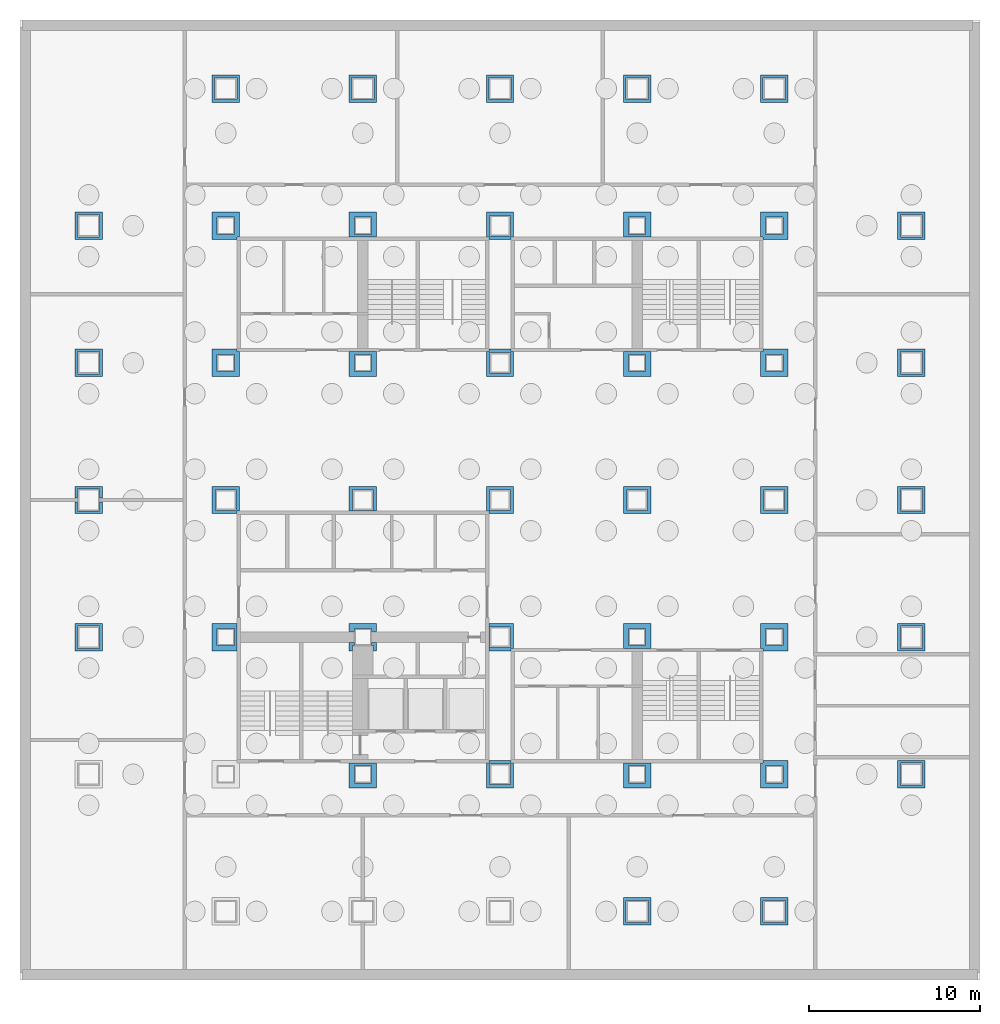
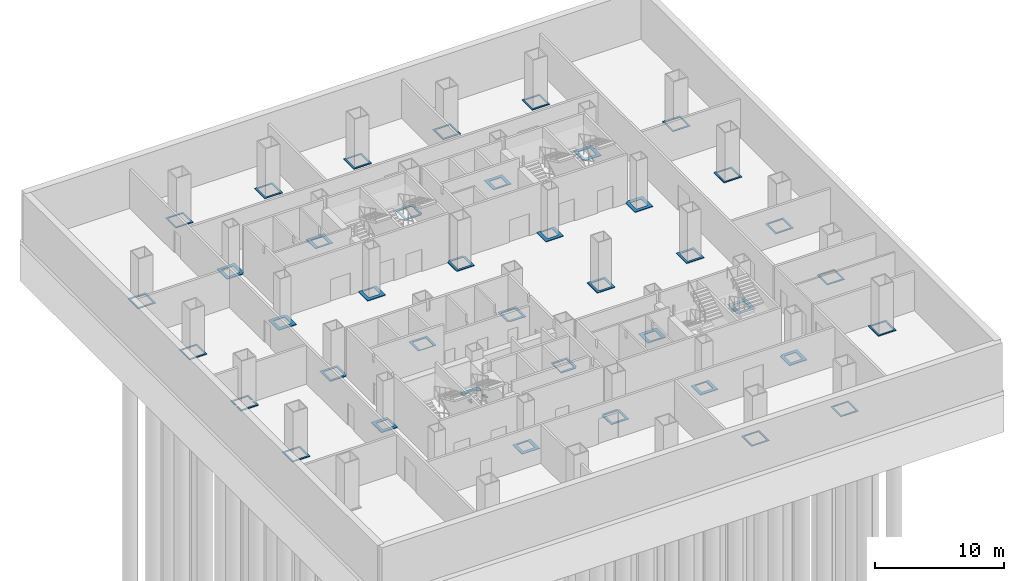
# One storey, part 7 of 9: 43 discrete accessories.
"""IFC4 building model written with IfcOpenShell, lengths in metres."""

from ifc_helpers import new_model, si_unit, direction, frame, origin, place, context, subcontext, project, spatial, polyline, outline, extrude, material, layer, layer_set, type_object, element, save


model = new_model("IFC4")

# Units and contexts
model_context = context("Model", 3, precision=1e-05, world=origin(), true_north=direction((0.0, 1.0)))
body_context = subcontext(model_context, "Body", "Model", "MODEL_VIEW")
ifc_project = project(units=[si_unit("LENGTHUNIT", "METRE"), si_unit("AREAUNIT", "SQUARE_METRE"), si_unit("VOLUMEUNIT", "CUBIC_METRE"), si_unit("PLANEANGLEUNIT", "RADIAN"), si_unit("MASSUNIT", "GRAM", prefix="KILO")], contexts=[model_context])

# Site, building, storey
site_placement = place(None, origin())
site = spatial("IfcSite", under=ifc_project, at=site_placement, CompositionType="ELEMENT")
building_placement = place(site_placement, origin())
building = spatial("IfcBuilding", under=site, at=building_placement, Name="Immortelle Media Tower", CompositionType="ELEMENT")
storey_placement = place(building_placement, frame((0.0, 0.0, -5.0)))
storey = spatial("IfcBuildingStorey", under=building, at=storey_placement, Name="B1", CompositionType="ELEMENT", Elevation=-5.0)

# Discrete accessories
ifc_material = material(Name="Steel ASTM A572 Gr 50", Category="steel")
ifc_layer = layer(ifc_material, 0.06005859375)
ifc_layer_set = layer_set([ifc_layer], Name="Steel ASTM A572 Gr 50")
discrete_accessory_type = type_object("IfcDiscreteAccessoryType", Name="Column foot plate BP6 1600 x 1600 x 60", PredefinedType="ANCHORPLATE", material=ifc_layer_set)
discrete_accessory_1_placement = place(storey_placement, frame((0.0, 16.0, 0.0400390625), z_axis=(0.0, 0.0, 1.0), x_axis=(1.0, 0.0, 0.0)))
element("IfcDiscreteAccessory", 1, at=discrete_accessory_1_placement, inside=storey, type_object=discrete_accessory_type, Name="Foot plate BP6 of Column 1/C", PredefinedType="ANCHORPLATE", context=body_context, shape_type="SweptSolid", body=[
    extrude(outline(polyline([(-0.800048828125, -0.800048828125), (0.800048828125, -0.800048828125), (0.800048828125, 0.800048828125), (-0.800048828125, 0.800048828125), (-0.800048828125, -0.800048828125)]), holes=[polyline([(0.64990234375, 0.64990234375), (0.64990234375, -0.64990234375), (-0.64990234375, -0.64990234375), (-0.64990234375, 0.64990234375), (0.64990234375, 0.64990234375)])]), origin(), (0.0, 0.0, 1.0), 0.06005859375),
])
discrete_accessory_2_placement = place(storey_placement, frame((0.0, 24.0, 0.0400390625), z_axis=(0.0, 0.0, 1.0), x_axis=(1.0, 0.0, 0.0)))
element("IfcDiscreteAccessory", 2, at=discrete_accessory_2_placement, inside=storey, type_object=discrete_accessory_type, Name="Foot plate BP6 of Column 1/D", PredefinedType="ANCHORPLATE", context=body_context, shape_type="SweptSolid", body=[
    extrude(outline(polyline([(-0.800048828125, 0.114990234375), (-0.64990234375, 0.114990234375), (-0.64990234375, 0.64990234375), (0.64990234375, 0.64990234375), (0.64990234375, 0.114990234375), (0.800048828125, 0.114990234375), (0.800048828125, 0.800048828125), (-0.800048828125, 0.800048828125), (-0.800048828125, 0.114990234375)])), origin(), (0.0, 0.0, 1.0), 0.06005859375),
])
discrete_accessory_3_placement = place(storey_placement, frame((0.0, 24.0, 0.0400390625), z_axis=(0.0, 0.0, 1.0), x_axis=(1.0, 0.0, 0.0)))
element("IfcDiscreteAccessory", 3, at=discrete_accessory_3_placement, inside=storey, type_object=discrete_accessory_type, Name="Foot plate BP6 of Column 1/D, part 2", PredefinedType="ANCHORPLATE", context=body_context, shape_type="SweptSolid", body=[
    extrude(outline(polyline([(-0.800048828125, -0.800048828125), (0.800048828125, -0.800048828125), (0.800048828125, -0.114990234375), (0.64990234375, -0.114990234375), (0.64990234375, -0.64990234375), (-0.64990234375, -0.64990234375), (-0.64990234375, -0.114990234375), (-0.800048828125, -0.114990234375), (-0.800048828125, -0.800048828125)])), origin(), (0.0, 0.0, 1.0), 0.06005859375),
])
for number, where, z_axis, x_axis, name in (
    (4, (0.0, 32.0, 0.0400390625), (0.0, 0.0, 1.0), (1.0, 0.0, 0.0), "Foot plate BP6 of Column 1/E"),
    (5, (0.0, 40.0, 0.0400390625), (0.0, 0.0, 1.0), (1.0, 0.0, 0.0), "Foot plate BP6 of Column 1/F"),
):
    element("IfcDiscreteAccessory", number, at=place(storey_placement, frame(where, z_axis=z_axis, x_axis=x_axis)), inside=storey, type_object=discrete_accessory_type, Name=name, PredefinedType="ANCHORPLATE", context=body_context, shape_type="SweptSolid", body=[
        extrude(outline(polyline([(-0.800048828125, -0.800048828125), (0.800048828125, -0.800048828125), (0.800048828125, 0.800048828125), (-0.800048828125, 0.800048828125), (-0.800048828125, -0.800048828125)]), holes=[polyline([(0.64990234375, 0.64990234375), (0.64990234375, -0.64990234375), (-0.64990234375, -0.64990234375), (-0.64990234375, 0.64990234375), (0.64990234375, 0.64990234375)])]), origin(), (0.0, 0.0, 1.0), 0.06005859375),
    ])
discrete_accessory_4_placement = place(storey_placement, frame((8.0, 16.0, 0.0400390625), z_axis=(0.0, 0.0, 1.0), x_axis=(1.0, 0.0, 0.0)))
element("IfcDiscreteAccessory", 6, at=discrete_accessory_4_placement, inside=storey, type_object=discrete_accessory_type, Name="Foot plate BP6 of Column 2/C", PredefinedType="ANCHORPLATE", context=body_context, shape_type="SweptSolid", body=[
    extrude(outline(polyline([(-0.800048828125, 0.800048828125), (-0.800048828125, -0.800048828125), (0.64990234375, -0.800048828125), (0.64990234375, 0.800048828125), (-0.800048828125, 0.800048828125)]), holes=[polyline([(0.5, 0.5), (0.5, -0.5), (-0.5, -0.5), (-0.5, 0.5), (0.5, 0.5)])]), origin(), (0.0, 0.0, 1.0), 0.06005859375),
])
discrete_accessory_5_placement = place(storey_placement, frame((8.0, 24.0, 0.0400390625), z_axis=(0.0, 0.0, 1.0), x_axis=(1.0, 0.0, 0.0)))
element("IfcDiscreteAccessory", 7, at=discrete_accessory_5_placement, inside=storey, type_object=discrete_accessory_type, Name="Foot plate BP6 of Column 2/D", PredefinedType="ANCHORPLATE", context=body_context, shape_type="SweptSolid", body=[
    extrude(outline(polyline([(-0.800048828125, 0.800048828125), (-0.800048828125, -0.800048828125), (0.64990234375, -0.800048828125), (0.64990234375, -0.64990234375), (0.800048828125, -0.64990234375), (0.800048828125, 0.800048828125), (-0.800048828125, 0.800048828125)]), holes=[polyline([(0.60009765625, 0.60009765625), (0.60009765625, -0.60009765625), (-0.60009765625, -0.60009765625), (-0.60009765625, 0.60009765625), (0.60009765625, 0.60009765625)])]), origin(), (0.0, 0.0, 1.0), 0.06005859375),
])
discrete_accessory_6_placement = place(storey_placement, frame((8.0, 32.0, 0.0400390625), z_axis=(0.0, 0.0, 1.0), x_axis=(1.0, 0.0, 0.0)))
element("IfcDiscreteAccessory", 8, at=discrete_accessory_6_placement, inside=storey, type_object=discrete_accessory_type, Name="Foot plate BP6 of Column 2/E", PredefinedType="ANCHORPLATE", context=body_context, shape_type="SweptSolid", body=[
    extrude(outline(polyline([(-0.800048828125, -0.800048828125), (0.800048828125, -0.800048828125), (0.800048828125, 0.64990234375), (0.64990234375, 0.64990234375), (0.64990234375, 0.800048828125), (-0.800048828125, 0.800048828125), (-0.800048828125, -0.800048828125)]), holes=[polyline([(0.5, 0.5), (0.5, -0.5), (-0.5, -0.5), (-0.5, 0.5), (0.5, 0.5)])]), origin(), (0.0, 0.0, 1.0), 0.06005859375),
])
discrete_accessory_7_placement = place(storey_placement, frame((8.0, 40.0, 0.0400390625), z_axis=(0.0, 0.0, 1.0), x_axis=(1.0, 0.0, 0.0)))
element("IfcDiscreteAccessory", 9, at=discrete_accessory_7_placement, inside=storey, type_object=discrete_accessory_type, Name="Foot plate BP6 of Column 2/F", PredefinedType="ANCHORPLATE", context=body_context, shape_type="SweptSolid", body=[
    extrude(outline(polyline([(-0.800048828125, 0.800048828125), (-0.800048828125, -0.800048828125), (0.64990234375, -0.800048828125), (0.64990234375, -0.64990234375), (0.800048828125, -0.64990234375), (0.800048828125, 0.800048828125), (-0.800048828125, 0.800048828125)]), holes=[polyline([(0.5, 0.5), (0.5, -0.5), (-0.5, -0.5), (-0.5, 0.5), (0.5, 0.5)])]), origin(), (0.0, 0.0, 1.0), 0.06005859375),
])
discrete_accessory_8_placement = place(storey_placement, frame((8.0, 48.0, 0.0400390625), z_axis=(0.0, 0.0, 1.0), x_axis=(1.0, 0.0, 0.0)))
element("IfcDiscreteAccessory", 10, at=discrete_accessory_8_placement, inside=storey, type_object=discrete_accessory_type, Name="Foot plate BP6 of Column 2/G", PredefinedType="ANCHORPLATE", context=body_context, shape_type="SweptSolid", body=[
    extrude(outline(polyline([(-0.800048828125, -0.800048828125), (0.800048828125, -0.800048828125), (0.800048828125, 0.800048828125), (-0.800048828125, 0.800048828125), (-0.800048828125, -0.800048828125)]), holes=[polyline([(0.64990234375, 0.64990234375), (0.64990234375, -0.64990234375), (-0.64990234375, -0.64990234375), (-0.64990234375, 0.64990234375), (0.64990234375, 0.64990234375)])]), origin(), (0.0, 0.0, 1.0), 0.06005859375),
])
discrete_accessory_9_placement = place(storey_placement, frame((16.0, 8.0, 0.0400390625), z_axis=(0.0, 0.0, 1.0), x_axis=(1.0, 0.0, 0.0)))
element("IfcDiscreteAccessory", 11, at=discrete_accessory_9_placement, inside=storey, type_object=discrete_accessory_type, Name="Foot plate BP6 of Column 3/B", PredefinedType="ANCHORPLATE", context=body_context, shape_type="SweptSolid", body=[
    extrude(outline(polyline([(-0.800048828125, -0.800048828125), (0.800048828125, -0.800048828125), (0.800048828125, 0.64990234375), (-0.800048828125, 0.64990234375), (-0.800048828125, -0.800048828125)]), holes=[polyline([(0.5, 0.5), (0.5, -0.5), (-0.5, -0.5), (-0.5, 0.5), (0.5, 0.5)])]), origin(), (0.0, 0.0, 1.0), 0.06005859375),
])
discrete_accessory_10_placement = place(storey_placement, frame((16.0, 16.0, 0.0400390625), z_axis=(0.0, 0.0, 1.0), x_axis=(1.0, 0.0, 0.0)))
element("IfcDiscreteAccessory", 12, at=discrete_accessory_10_placement, inside=storey, type_object=discrete_accessory_type, Name="Foot plate BP6 of Column 3/C", PredefinedType="ANCHORPLATE", context=body_context, shape_type="SweptSolid", body=[
    extrude(outline(polyline([(-0.800048828125, 0.31494140625), (-0.5, 0.31494140625), (-0.5, 0.5), (0.5, 0.5), (0.5, 0.31494140625), (0.800048828125, 0.31494140625), (0.800048828125, 0.800048828125), (-0.800048828125, 0.800048828125), (-0.800048828125, 0.31494140625)])), origin(), (0.0, 0.0, 1.0), 0.06005859375),
])
discrete_accessory_11_placement = place(storey_placement, frame((16.0, 16.0, 0.0400390625), z_axis=(0.0, 0.0, 1.0), x_axis=(1.0, 0.0, 0.0)))
element("IfcDiscreteAccessory", 13, at=discrete_accessory_11_placement, inside=storey, type_object=discrete_accessory_type, Name="Foot plate BP6 of Column 3/C, part 2", PredefinedType="ANCHORPLATE", context=body_context, shape_type="SweptSolid", body=[
    extrude(outline(polyline([(-0.614990234375, -0.4951171875), (-0.5, -0.4951171875), (-0.5, -0.31494140625), (-0.800048828125, -0.31494140625), (-0.800048828125, -0.800048828125), (-0.614990234375, -0.800048828125), (-0.614990234375, -0.4951171875)])), origin(), (0.0, 0.0, 1.0), 0.06005859375),
])
discrete_accessory_12_placement = place(storey_placement, frame((16.0, 16.0, 0.0400390625), z_axis=(0.0, 0.0, 1.0), x_axis=(1.0, 0.0, 0.0)))
element("IfcDiscreteAccessory", 14, at=discrete_accessory_12_placement, inside=storey, type_object=discrete_accessory_type, Name="Foot plate BP6 of Column 3/C, part 3", PredefinedType="ANCHORPLATE", context=body_context, shape_type="SweptSolid", body=[
    extrude(outline(polyline([(0.614990234375, -0.800048828125), (0.800048828125, -0.800048828125), (0.800048828125, -0.31494140625), (0.5, -0.31494140625), (0.5, -0.4951171875), (0.614990234375, -0.4951171875), (0.614990234375, -0.800048828125)])), origin(), (0.0, 0.0, 1.0), 0.06005859375),
])
discrete_accessory_13_placement = place(storey_placement, frame((16.0, 24.0, 0.0400390625), z_axis=(0.0, 0.0, 1.0), x_axis=(1.0, 0.0, 0.0)))
element("IfcDiscreteAccessory", 15, at=discrete_accessory_13_placement, inside=storey, type_object=discrete_accessory_type, Name="Foot plate BP6 of Column 3/D", PredefinedType="ANCHORPLATE", context=body_context, shape_type="SweptSolid", body=[
    extrude(outline(polyline([(0.800048828125, 0.800048828125), (-0.800048828125, 0.800048828125), (-0.800048828125, -0.64990234375), (0.800048828125, -0.64990234375), (0.800048828125, 0.800048828125)]), holes=[polyline([(0.60009765625, 0.60009765625), (0.60009765625, -0.60009765625), (-0.60009765625, -0.60009765625), (-0.60009765625, 0.60009765625), (0.60009765625, 0.60009765625)])]), origin(), (0.0, 0.0, 1.0), 0.06005859375),
])
discrete_accessory_14_placement = place(storey_placement, frame((16.0, 32.0, 0.0400390625), z_axis=(0.0, 0.0, 1.0), x_axis=(1.0, 0.0, 0.0)))
element("IfcDiscreteAccessory", 16, at=discrete_accessory_14_placement, inside=storey, type_object=discrete_accessory_type, Name="Foot plate BP6 of Column 3/E", PredefinedType="ANCHORPLATE", context=body_context, shape_type="SweptSolid", body=[
    extrude(outline(polyline([(-0.800048828125, -0.800048828125), (0.800048828125, -0.800048828125), (0.800048828125, 0.64990234375), (-0.800048828125, 0.64990234375), (-0.800048828125, -0.800048828125)]), holes=[polyline([(0.5, 0.5), (0.5, -0.5), (-0.5, -0.5), (-0.5, 0.5), (0.5, 0.5)])]), origin(), (0.0, 0.0, 1.0), 0.06005859375),
])
discrete_accessory_15_placement = place(storey_placement, frame((16.0, 40.0, 0.0400390625), z_axis=(0.0, 0.0, 1.0), x_axis=(1.0, 0.0, 0.0)))
element("IfcDiscreteAccessory", 17, at=discrete_accessory_15_placement, inside=storey, type_object=discrete_accessory_type, Name="Foot plate BP6 of Column 3/F", PredefinedType="ANCHORPLATE", context=body_context, shape_type="SweptSolid", body=[
    extrude(outline(polyline([(0.800048828125, 0.800048828125), (-0.800048828125, 0.800048828125), (-0.800048828125, -0.64990234375), (0.800048828125, -0.64990234375), (0.800048828125, 0.800048828125)]), holes=[polyline([(0.5, 0.5), (0.5, -0.5), (-0.5, -0.5), (-0.5, 0.5), (0.5, 0.5)])]), origin(), (0.0, 0.0, 1.0), 0.06005859375),
])
discrete_accessory_16_placement = place(storey_placement, frame((16.0, 48.0, 0.0400390625), z_axis=(0.0, 0.0, 1.0), x_axis=(1.0, 0.0, 0.0)))
element("IfcDiscreteAccessory", 18, at=discrete_accessory_16_placement, inside=storey, type_object=discrete_accessory_type, Name="Foot plate BP6 of Column 3/G", PredefinedType="ANCHORPLATE", context=body_context, shape_type="SweptSolid", body=[
    extrude(outline(polyline([(-0.800048828125, -0.800048828125), (0.800048828125, -0.800048828125), (0.800048828125, 0.800048828125), (-0.800048828125, 0.800048828125), (-0.800048828125, -0.800048828125)]), holes=[polyline([(0.64990234375, 0.64990234375), (0.64990234375, -0.64990234375), (-0.64990234375, -0.64990234375), (-0.64990234375, 0.64990234375), (0.64990234375, 0.64990234375)])]), origin(), (0.0, 0.0, 1.0), 0.06005859375),
])
discrete_accessory_17_placement = place(storey_placement, frame((24.0, 8.0, 0.0400390625), z_axis=(0.0, 0.0, 1.0), x_axis=(1.0, 0.0, 0.0)))
element("IfcDiscreteAccessory", 19, at=discrete_accessory_17_placement, inside=storey, type_object=discrete_accessory_type, Name="Foot plate BP6 of Column 4/B", PredefinedType="ANCHORPLATE", context=body_context, shape_type="SweptSolid", body=[
    extrude(outline(polyline([(-0.800048828125, -0.800048828125), (0.800048828125, -0.800048828125), (0.800048828125, 0.64990234375), (0.64990234375, 0.64990234375), (0.64990234375, 0.800048828125), (-0.64990234375, 0.800048828125), (-0.64990234375, 0.64990234375), (-0.800048828125, 0.64990234375), (-0.800048828125, -0.800048828125)]), holes=[polyline([(0.60009765625, 0.60009765625), (0.60009765625, -0.60009765625), (-0.60009765625, -0.60009765625), (-0.60009765625, 0.60009765625), (0.60009765625, 0.60009765625)])]), origin(), (0.0, 0.0, 1.0), 0.06005859375),
])
discrete_accessory_18_placement = place(storey_placement, frame((24.0, 16.0, 0.0400390625), z_axis=(0.0, 0.0, 1.0), x_axis=(1.0, 0.0, 0.0)))
element("IfcDiscreteAccessory", 20, at=discrete_accessory_18_placement, inside=storey, type_object=discrete_accessory_type, Name="Foot plate BP6 of Column 4/C", PredefinedType="ANCHORPLATE", context=body_context, shape_type="SweptSolid", body=[
    extrude(outline(polyline([(0.800048828125, -0.64990234375), (0.800048828125, 0.800048828125), (-0.64990234375, 0.800048828125), (-0.64990234375, -0.800048828125), (0.64990234375, -0.800048828125), (0.64990234375, -0.64990234375), (0.800048828125, -0.64990234375)]), holes=[polyline([(0.60009765625, 0.60009765625), (0.60009765625, -0.60009765625), (-0.60009765625, -0.60009765625), (-0.60009765625, 0.60009765625), (0.60009765625, 0.60009765625)])]), origin(), (0.0, 0.0, 1.0), 0.06005859375),
])
discrete_accessory_19_placement = place(storey_placement, frame((24.0, 24.0, 0.0400390625), z_axis=(0.0, 0.0, 1.0), x_axis=(1.0, 0.0, 0.0)))
element("IfcDiscreteAccessory", 21, at=discrete_accessory_19_placement, inside=storey, type_object=discrete_accessory_type, Name="Foot plate BP6 of Column 4/D", PredefinedType="ANCHORPLATE", context=body_context, shape_type="SweptSolid", body=[
    extrude(outline(polyline([(0.800048828125, 0.800048828125), (-0.800048828125, 0.800048828125), (-0.800048828125, -0.64990234375), (-0.64990234375, -0.64990234375), (-0.64990234375, -0.800048828125), (0.800048828125, -0.800048828125), (0.800048828125, 0.800048828125)]), holes=[polyline([(0.60009765625, 0.60009765625), (0.60009765625, -0.60009765625), (-0.60009765625, -0.60009765625), (-0.60009765625, 0.60009765625), (0.60009765625, 0.60009765625)])]), origin(), (0.0, 0.0, 1.0), 0.06005859375),
])
discrete_accessory_20_placement = place(storey_placement, frame((24.0, 32.0, 0.0400390625), z_axis=(0.0, 0.0, 1.0), x_axis=(1.0, 0.0, 0.0)))
element("IfcDiscreteAccessory", 22, at=discrete_accessory_20_placement, inside=storey, type_object=discrete_accessory_type, Name="Foot plate BP6 of Column 4/E", PredefinedType="ANCHORPLATE", context=body_context, shape_type="SweptSolid", body=[
    extrude(outline(polyline([(-0.800048828125, -0.800048828125), (0.800048828125, -0.800048828125), (0.800048828125, 0.64990234375), (0.64990234375, 0.64990234375), (0.64990234375, 0.800048828125), (-0.64990234375, 0.800048828125), (-0.64990234375, 0.64990234375), (-0.800048828125, 0.64990234375), (-0.800048828125, -0.800048828125)]), holes=[polyline([(0.60009765625, 0.60009765625), (0.60009765625, -0.60009765625), (-0.60009765625, -0.60009765625), (-0.60009765625, 0.60009765625), (0.60009765625, 0.60009765625)])]), origin(), (0.0, 0.0, 1.0), 0.06005859375),
])
discrete_accessory_21_placement = place(storey_placement, frame((24.0, 40.0, 0.0400390625), z_axis=(0.0, 0.0, 1.0), x_axis=(1.0, 0.0, 0.0)))
element("IfcDiscreteAccessory", 23, at=discrete_accessory_21_placement, inside=storey, type_object=discrete_accessory_type, Name="Foot plate BP6 of Column 4/F", PredefinedType="ANCHORPLATE", context=body_context, shape_type="SweptSolid", body=[
    extrude(outline(polyline([(0.800048828125, 0.800048828125), (-0.800048828125, 0.800048828125), (-0.800048828125, -0.64990234375), (-0.64990234375, -0.64990234375), (-0.64990234375, -0.800048828125), (0.64990234375, -0.800048828125), (0.64990234375, -0.64990234375), (0.800048828125, -0.64990234375), (0.800048828125, 0.800048828125)]), holes=[polyline([(0.60009765625, 0.60009765625), (0.60009765625, -0.60009765625), (-0.60009765625, -0.60009765625), (-0.60009765625, 0.60009765625), (0.60009765625, 0.60009765625)])]), origin(), (0.0, 0.0, 1.0), 0.06005859375),
])
for number, where, z_axis, x_axis, name in (
    (24, (24.0, 48.0, 0.0400390625), (0.0, 0.0, 1.0), (1.0, 0.0, 0.0), "Foot plate BP6 of Column 4/G"),
    (25, (32.0, 0.0, 0.0400390625), (0.0, 0.0, 1.0), (1.0, 0.0, 0.0), "Foot plate BP6 of Column 5/A"),
):
    element("IfcDiscreteAccessory", number, at=place(storey_placement, frame(where, z_axis=z_axis, x_axis=x_axis)), inside=storey, type_object=discrete_accessory_type, Name=name, PredefinedType="ANCHORPLATE", context=body_context, shape_type="SweptSolid", body=[
        extrude(outline(polyline([(-0.800048828125, -0.800048828125), (0.800048828125, -0.800048828125), (0.800048828125, 0.800048828125), (-0.800048828125, 0.800048828125), (-0.800048828125, -0.800048828125)]), holes=[polyline([(0.64990234375, 0.64990234375), (0.64990234375, -0.64990234375), (-0.64990234375, -0.64990234375), (-0.64990234375, 0.64990234375), (0.64990234375, 0.64990234375)])]), origin(), (0.0, 0.0, 1.0), 0.06005859375),
    ])
discrete_accessory_22_placement = place(storey_placement, frame((32.0, 8.0, 0.0400390625), z_axis=(0.0, 0.0, 1.0), x_axis=(1.0, 0.0, 0.0)))
element("IfcDiscreteAccessory", 26, at=discrete_accessory_22_placement, inside=storey, type_object=discrete_accessory_type, Name="Foot plate BP6 of Column 5/B", PredefinedType="ANCHORPLATE", context=body_context, shape_type="SweptSolid", body=[
    extrude(outline(polyline([(-0.800048828125, -0.800048828125), (0.800048828125, -0.800048828125), (0.800048828125, 0.64990234375), (-0.800048828125, 0.64990234375), (-0.800048828125, -0.800048828125)]), holes=[polyline([(0.5, 0.5), (0.5, -0.5), (-0.5, -0.5), (-0.5, 0.5), (0.5, 0.5)])]), origin(), (0.0, 0.0, 1.0), 0.06005859375),
])
discrete_accessory_23_placement = place(storey_placement, frame((32.0, 16.0, 0.0400390625), z_axis=(0.0, 0.0, 1.0), x_axis=(1.0, 0.0, 0.0)))
element("IfcDiscreteAccessory", 27, at=discrete_accessory_23_placement, inside=storey, type_object=discrete_accessory_type, Name="Foot plate BP6 of Column 5/C", PredefinedType="ANCHORPLATE", context=body_context, shape_type="SweptSolid", body=[
    extrude(outline(polyline([(0.800048828125, 0.800048828125), (-0.800048828125, 0.800048828125), (-0.800048828125, -0.64990234375), (0.800048828125, -0.64990234375), (0.800048828125, 0.800048828125)]), holes=[polyline([(0.5, 0.5), (0.5, -0.5), (-0.5, -0.5), (-0.5, 0.5), (0.5, 0.5)])]), origin(), (0.0, 0.0, 1.0), 0.06005859375),
])
discrete_accessory_24_placement = place(storey_placement, frame((32.0, 24.0, 0.0400390625), z_axis=(0.0, 0.0, 1.0), x_axis=(1.0, 0.0, 0.0)))
element("IfcDiscreteAccessory", 28, at=discrete_accessory_24_placement, inside=storey, type_object=discrete_accessory_type, Name="Foot plate BP6 of Column 5/D", PredefinedType="ANCHORPLATE", context=body_context, shape_type="SweptSolid", body=[
    extrude(outline(polyline([(-0.800048828125, -0.800048828125), (0.800048828125, -0.800048828125), (0.800048828125, 0.800048828125), (-0.800048828125, 0.800048828125), (-0.800048828125, -0.800048828125)]), holes=[polyline([(0.60009765625, 0.60009765625), (0.60009765625, -0.60009765625), (-0.60009765625, -0.60009765625), (-0.60009765625, 0.60009765625), (0.60009765625, 0.60009765625)])]), origin(), (0.0, 0.0, 1.0), 0.06005859375),
])
discrete_accessory_25_placement = place(storey_placement, frame((32.0, 32.0, 0.0400390625), z_axis=(0.0, 0.0, 1.0), x_axis=(1.0, 0.0, 0.0)))
element("IfcDiscreteAccessory", 29, at=discrete_accessory_25_placement, inside=storey, type_object=discrete_accessory_type, Name="Foot plate BP6 of Column 5/E", PredefinedType="ANCHORPLATE", context=body_context, shape_type="SweptSolid", body=[
    extrude(outline(polyline([(-0.800048828125, -0.800048828125), (0.800048828125, -0.800048828125), (0.800048828125, 0.64990234375), (-0.800048828125, 0.64990234375), (-0.800048828125, -0.800048828125)]), holes=[polyline([(0.5, 0.5), (0.5, -0.5), (-0.5, -0.5), (-0.5, 0.5), (0.5, 0.5)])]), origin(), (0.0, 0.0, 1.0), 0.06005859375),
])
discrete_accessory_26_placement = place(storey_placement, frame((32.0, 40.0, 0.0400390625), z_axis=(0.0, 0.0, 1.0), x_axis=(1.0, 0.0, 0.0)))
element("IfcDiscreteAccessory", 30, at=discrete_accessory_26_placement, inside=storey, type_object=discrete_accessory_type, Name="Foot plate BP6 of Column 5/F", PredefinedType="ANCHORPLATE", context=body_context, shape_type="SweptSolid", body=[
    extrude(outline(polyline([(0.800048828125, 0.800048828125), (-0.800048828125, 0.800048828125), (-0.800048828125, -0.64990234375), (0.800048828125, -0.64990234375), (0.800048828125, 0.800048828125)]), holes=[polyline([(0.5, 0.5), (0.5, -0.5), (-0.5, -0.5), (-0.5, 0.5), (0.5, 0.5)])]), origin(), (0.0, 0.0, 1.0), 0.06005859375),
])
for number, where, z_axis, x_axis, name in (
    (31, (32.0, 48.0, 0.0400390625), (0.0, 0.0, 1.0), (1.0, 0.0, 0.0), "Foot plate BP6 of Column 5/G"),
    (32, (40.0, 0.0, 0.0400390625), (0.0, 0.0, 1.0), (1.0, 0.0, 0.0), "Foot plate BP6 of Column 6/A"),
):
    element("IfcDiscreteAccessory", number, at=place(storey_placement, frame(where, z_axis=z_axis, x_axis=x_axis)), inside=storey, type_object=discrete_accessory_type, Name=name, PredefinedType="ANCHORPLATE", context=body_context, shape_type="SweptSolid", body=[
        extrude(outline(polyline([(-0.800048828125, -0.800048828125), (0.800048828125, -0.800048828125), (0.800048828125, 0.800048828125), (-0.800048828125, 0.800048828125), (-0.800048828125, -0.800048828125)]), holes=[polyline([(0.64990234375, 0.64990234375), (0.64990234375, -0.64990234375), (-0.64990234375, -0.64990234375), (-0.64990234375, 0.64990234375), (0.64990234375, 0.64990234375)])]), origin(), (0.0, 0.0, 1.0), 0.06005859375),
    ])
discrete_accessory_27_placement = place(storey_placement, frame((40.0, 8.0, 0.0400390625), z_axis=(0.0, 0.0, 1.0), x_axis=(1.0, 0.0, 0.0)))
element("IfcDiscreteAccessory", 33, at=discrete_accessory_27_placement, inside=storey, type_object=discrete_accessory_type, Name="Foot plate BP6 of Column 6/B", PredefinedType="ANCHORPLATE", context=body_context, shape_type="SweptSolid", body=[
    extrude(outline(polyline([(0.800048828125, -0.800048828125), (0.800048828125, 0.800048828125), (-0.64990234375, 0.800048828125), (-0.64990234375, 0.64990234375), (-0.800048828125, 0.64990234375), (-0.800048828125, -0.800048828125), (0.800048828125, -0.800048828125)]), holes=[polyline([(0.5, 0.5), (0.5, -0.5), (-0.5, -0.5), (-0.5, 0.5), (0.5, 0.5)])]), origin(), (0.0, 0.0, 1.0), 0.06005859375),
])
discrete_accessory_28_placement = place(storey_placement, frame((40.0, 16.0, 0.0400390625), z_axis=(0.0, 0.0, 1.0), x_axis=(1.0, 0.0, 0.0)))
element("IfcDiscreteAccessory", 34, at=discrete_accessory_28_placement, inside=storey, type_object=discrete_accessory_type, Name="Foot plate BP6 of Column 6/C", PredefinedType="ANCHORPLATE", context=body_context, shape_type="SweptSolid", body=[
    extrude(outline(polyline([(0.800048828125, 0.800048828125), (-0.800048828125, 0.800048828125), (-0.800048828125, -0.64990234375), (-0.64990234375, -0.64990234375), (-0.64990234375, -0.800048828125), (0.800048828125, -0.800048828125), (0.800048828125, 0.800048828125)]), holes=[polyline([(0.5, 0.5), (0.5, -0.5), (-0.5, -0.5), (-0.5, 0.5), (0.5, 0.5)])]), origin(), (0.0, 0.0, 1.0), 0.06005859375),
])
discrete_accessory_29_placement = place(storey_placement, frame((40.0, 24.0, 0.0400390625), z_axis=(0.0, 0.0, 1.0), x_axis=(1.0, 0.0, 0.0)))
element("IfcDiscreteAccessory", 35, at=discrete_accessory_29_placement, inside=storey, type_object=discrete_accessory_type, Name="Foot plate BP6 of Column 6/D", PredefinedType="ANCHORPLATE", context=body_context, shape_type="SweptSolid", body=[
    extrude(outline(polyline([(-0.800048828125, -0.800048828125), (0.800048828125, -0.800048828125), (0.800048828125, 0.800048828125), (-0.800048828125, 0.800048828125), (-0.800048828125, -0.800048828125)]), holes=[polyline([(0.60009765625, 0.60009765625), (0.60009765625, -0.60009765625), (-0.60009765625, -0.60009765625), (-0.60009765625, 0.60009765625), (0.60009765625, 0.60009765625)])]), origin(), (0.0, 0.0, 1.0), 0.06005859375),
])
discrete_accessory_30_placement = place(storey_placement, frame((40.0, 32.0, 0.0400390625), z_axis=(0.0, 0.0, 1.0), x_axis=(1.0, 0.0, 0.0)))
element("IfcDiscreteAccessory", 36, at=discrete_accessory_30_placement, inside=storey, type_object=discrete_accessory_type, Name="Foot plate BP6 of Column 6/E", PredefinedType="ANCHORPLATE", context=body_context, shape_type="SweptSolid", body=[
    extrude(outline(polyline([(0.800048828125, -0.800048828125), (0.800048828125, 0.800048828125), (-0.64990234375, 0.800048828125), (-0.64990234375, 0.64990234375), (-0.800048828125, 0.64990234375), (-0.800048828125, -0.800048828125), (0.800048828125, -0.800048828125)]), holes=[polyline([(0.5, 0.5), (0.5, -0.5), (-0.5, -0.5), (-0.5, 0.5), (0.5, 0.5)])]), origin(), (0.0, 0.0, 1.0), 0.06005859375),
])
discrete_accessory_31_placement = place(storey_placement, frame((40.0, 40.0, 0.0400390625), z_axis=(0.0, 0.0, 1.0), x_axis=(1.0, 0.0, 0.0)))
element("IfcDiscreteAccessory", 37, at=discrete_accessory_31_placement, inside=storey, type_object=discrete_accessory_type, Name="Foot plate BP6 of Column 6/F", PredefinedType="ANCHORPLATE", context=body_context, shape_type="SweptSolid", body=[
    extrude(outline(polyline([(0.800048828125, 0.800048828125), (-0.800048828125, 0.800048828125), (-0.800048828125, -0.64990234375), (-0.64990234375, -0.64990234375), (-0.64990234375, -0.800048828125), (0.800048828125, -0.800048828125), (0.800048828125, 0.800048828125)]), holes=[polyline([(0.5, 0.5), (0.5, -0.5), (-0.5, -0.5), (-0.5, 0.5), (0.5, 0.5)])]), origin(), (0.0, 0.0, 1.0), 0.06005859375),
])
for number, where, z_axis, x_axis, name in (
    (38, (40.0, 48.0, 0.0400390625), (0.0, 0.0, 1.0), (1.0, 0.0, 0.0), "Foot plate BP6 of Column 6/G"),
    (39, (48.0, 8.0, 0.0400390625), (0.0, 0.0, 1.0), (1.0, 0.0, 0.0), "Foot plate BP6 of Column 7/B"),
    (40, (48.0, 16.0, 0.0400390625), (0.0, 0.0, 1.0), (1.0, 0.0, 0.0), "Foot plate BP6 of Column 7/C"),
    (41, (48.0, 24.0, 0.0400390625), (0.0, 0.0, 1.0), (1.0, 0.0, 0.0), "Foot plate BP6 of Column 7/D"),
    (42, (48.0, 32.0, 0.0400390625), (0.0, 0.0, 1.0), (1.0, 0.0, 0.0), "Foot plate BP6 of Column 7/E"),
    (43, (48.0, 40.0, 0.0400390625), (0.0, 0.0, 1.0), (1.0, 0.0, 0.0), "Foot plate BP6 of Column 7/F"),
):
    element("IfcDiscreteAccessory", number, at=place(storey_placement, frame(where, z_axis=z_axis, x_axis=x_axis)), inside=storey, type_object=discrete_accessory_type, Name=name, PredefinedType="ANCHORPLATE", context=body_context, shape_type="SweptSolid", body=[
        extrude(outline(polyline([(-0.800048828125, -0.800048828125), (0.800048828125, -0.800048828125), (0.800048828125, 0.800048828125), (-0.800048828125, 0.800048828125), (-0.800048828125, -0.800048828125)]), holes=[polyline([(0.64990234375, 0.64990234375), (0.64990234375, -0.64990234375), (-0.64990234375, -0.64990234375), (-0.64990234375, 0.64990234375), (0.64990234375, 0.64990234375)])]), origin(), (0.0, 0.0, 1.0), 0.06005859375),
    ])

save(model, "model.ifc")
